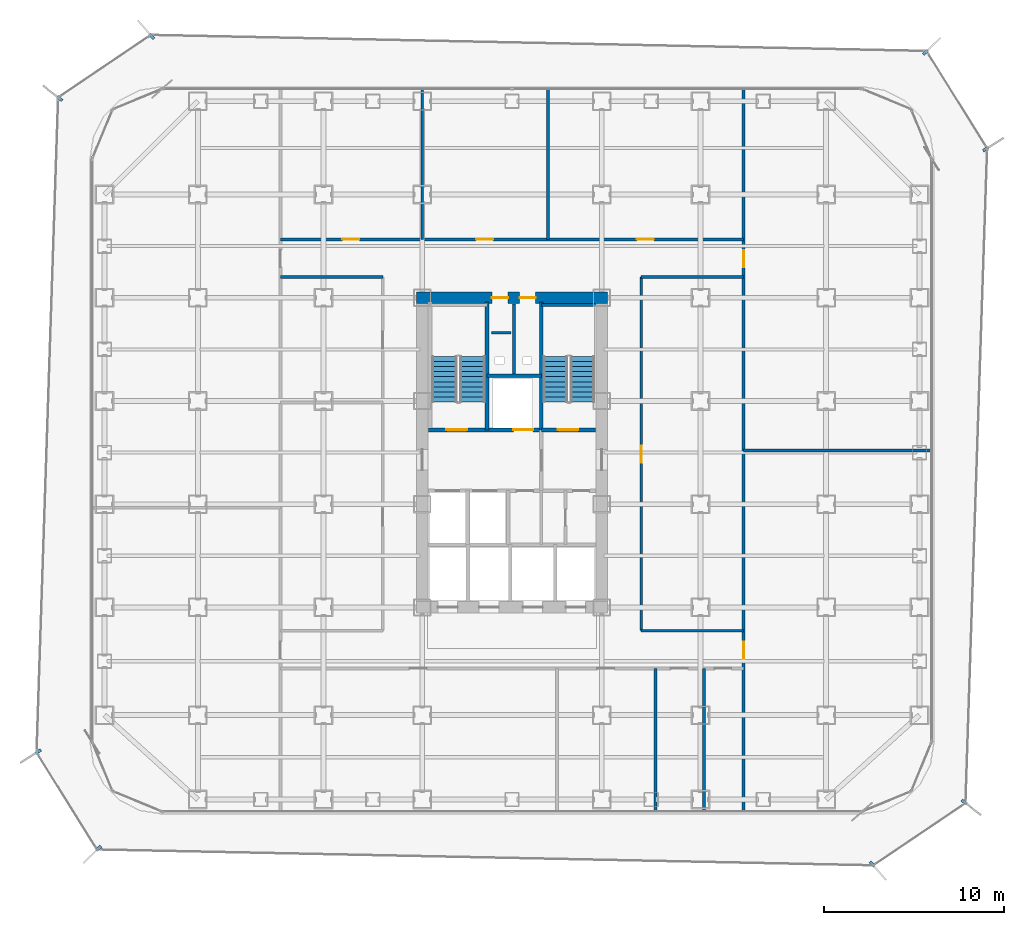
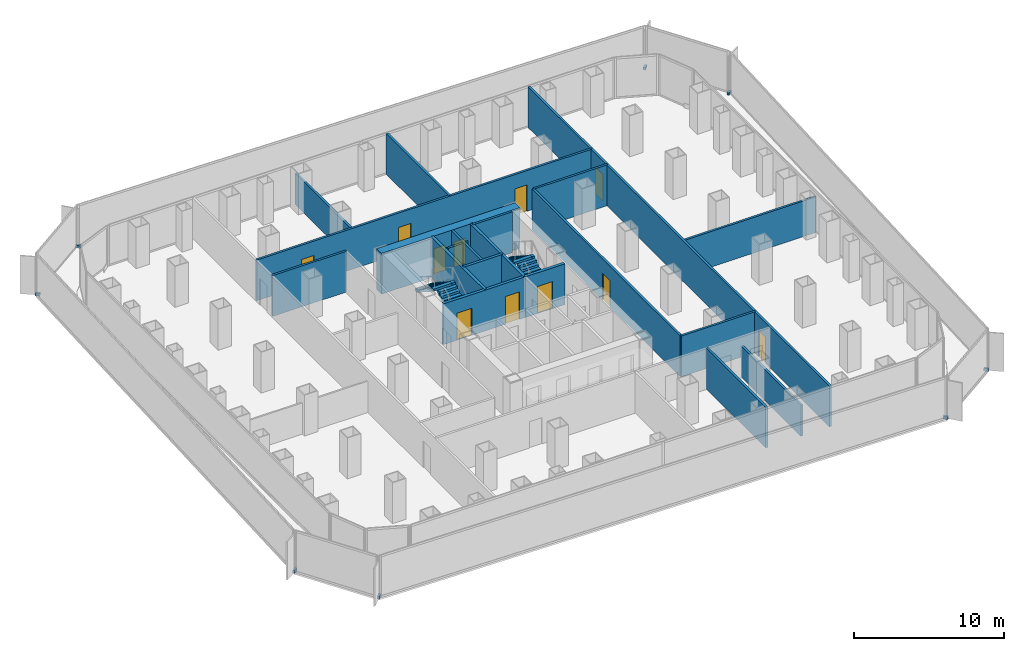
# One storey, part 18 of 21: 20 walls, 11 doors, 8 discrete accessories, 4 stair flights, 11 openings, 2 elements without a shape of their own.
"""IFC4 building model written with IfcOpenShell, lengths in metres."""

from ifc_helpers import new_model, si_unit, direction, frame, frame_2d, origin, origin_2d, place, context, subcontext, project, spatial, polyline, rectangle, outline, extrude, source, transform, mapped, material, layer, layer_set, type_object, element, fill, aggregate, save


model = new_model("IFC4")

# Units and contexts
model_context = context("Model", 3, precision=1e-05, world=origin(), true_north=direction((0.0, 1.0)))
body_context = subcontext(model_context, "Body", "Model", "MODEL_VIEW")
ifc_project = project(units=[si_unit("LENGTHUNIT", "METRE"), si_unit("AREAUNIT", "SQUARE_METRE"), si_unit("VOLUMEUNIT", "CUBIC_METRE"), si_unit("PLANEANGLEUNIT", "RADIAN"), si_unit("MASSUNIT", "GRAM", prefix="KILO")], contexts=[model_context])

# Site, building, storey
site_placement = place(None, origin())
site = spatial("IfcSite", under=ifc_project, at=site_placement, CompositionType="ELEMENT")
building_placement = place(site_placement, origin())
building = spatial("IfcBuilding", under=site, at=building_placement, Name="Kolveth Station Tower", CompositionType="ELEMENT")
storey_placement = place(building_placement, frame((0.0, 0.0, 47.699951171875)))
storey = spatial("IfcBuildingStorey", under=building, at=storey_placement, Name="L12", CompositionType="ELEMENT", Elevation=47.699951171875)

# Wall, openings, doors
ifc_material_1 = material(Name="Concrete C60/75", Category="concrete")
ifc_layer_1 = layer(ifc_material_1, 0.64990234375)
ifc_layer_set_1 = layer_set([ifc_layer_1], Name="Concrete C60/75")
wall_type_1 = type_object("IfcWallType", Name="Wall_CW-650", PredefinedType="SHEAR", material=ifc_layer_set_1)
wall_1_placement = place(storey_placement, frame((18.175048828125, 28.75, 0.0), z_axis=(0.0, 0.0, 1.0), x_axis=(1.0, 0.0, 0.0)))
wall_1 = element("IfcWall", 1, at=wall_1_placement, inside=storey, type_object=wall_type_1, Name="L12 Core RC Shear Wall N", PredefinedType="SHEAR", context=body_context, shape_type="SweptSolid", body=[
    extrude(rectangle(XDim=10.64990234375, YDim=0.64990234375, at=frame_2d((5.324951171875, 0.0))), origin(), (0.0, 0.0, 1.0), 3.320068359375),
])
opening_1_placement = place(wall_1_placement, frame((4.205078125, 0.0, 0.0)))
opening_1 = element("IfcOpeningElement", 2, at=opening_1_placement, cuts=wall_1, Name="Opening RD1", PredefinedType="OPENING", context=body_context, shape_type="SweptSolid", body=[
    extrude(rectangle(XDim=0.89990234375, YDim=2.050048828125, at=frame_2d((0.449951171875, 1.02490234375))), frame((0.0, 0.3349609375, 0.0), z_axis=(0.0, -1.0, 0.0), x_axis=(1.0, 0.0, 0.0)), (0.0, 0.0, 1.0), 0.669921875),
])
opening_2_placement = place(wall_1_placement, frame((5.7451171875, 0.0, 0.0)))
opening_2 = element("IfcOpeningElement", 3, at=opening_2_placement, cuts=wall_1, Name="Opening RD1", PredefinedType="OPENING", context=body_context, shape_type="SweptSolid", body=[
    extrude(rectangle(XDim=0.89990234375, YDim=2.050048828125, at=frame_2d((0.449951171875, 1.02490234375))), frame((0.0, 0.3349609375, 0.0), z_axis=(0.0, -1.0, 0.0), x_axis=(1.0, 0.0, 0.0)), (0.0, 0.0, 1.0), 0.669921875),
])
ifc_material_2 = material(Name="Fire-rated Steel S355 riser access leaf", Category="steel")
door_type_1 = type_object("IfcDoorType", Name="Door_RD1", OperationType="NOTDEFINED", PredefinedType="DOOR", material=ifc_material_2)
door_1_placement = place(opening_1_placement, origin())
door_1 = element("IfcDoor", 4, at=door_1_placement, inside=storey, type_object=door_type_1, Name="L12 Electrical Riser Access Door", OperationType="SINGLE_SWING_LEFT", OverallHeight=2.050048828125, OverallWidth=0.89990234375, PredefinedType="DOOR", context=body_context, shape_type="SweptSolid", body=[
    extrude(rectangle(XDim=0.89990234375, YDim=2.050048828125, at=frame_2d((0.449951171875, 1.02490234375))), frame((0.0, 0.02490234375, 0.0), z_axis=(0.0, -1.0, 0.0), x_axis=(1.0, 0.0, 0.0)), (0.0, 0.0, 1.0), 0.050048828125),
])
fill(opening_1, door_1)
door_2_placement = place(opening_2_placement, origin())
door_2 = element("IfcDoor", 5, at=door_2_placement, inside=storey, type_object=door_type_1, Name="L12 Smoke Duct Access Door", OperationType="SINGLE_SWING_RIGHT", OverallHeight=2.050048828125, OverallWidth=0.89990234375, PredefinedType="DOOR", context=body_context, shape_type="SweptSolid", body=[
    extrude(rectangle(XDim=0.89990234375, YDim=2.050048828125, at=frame_2d((0.449951171875, 1.02490234375))), frame((0.0, 0.02490234375, 0.0), z_axis=(0.0, -1.0, 0.0), x_axis=(1.0, 0.0, 0.0)), (0.0, 0.0, 1.0), 0.050048828125),
])
fill(opening_2, door_2)

# Walls
ifc_material_3 = material(Name="Acoustic double-stud gypsum partition")
ifc_layer_2 = layer(ifc_material_3, 0.1650390625)
ifc_layer_set_2 = layer_set([ifc_layer_2], Name="Acoustic double-stud gypsum partition")
wall_type_2 = type_object("IfcWallType", Name="Wall_IW-165", PredefinedType="PARTITIONING", material=ifc_layer_set_2)
wall_2_placement = place(storey_placement, frame((25.1298828125, 28.3349609375, 0.0), z_axis=(0.0, 0.0, 1.0), x_axis=(1.0, 0.0, 0.0)))
element("IfcWall", 6, at=wall_2_placement, inside=storey, type_object=wall_type_2, Name="L12 Stair Shaft Wall WL-L12-ST2-N", PredefinedType="PARTITIONING", context=body_context, shape_type="SweptSolid", body=[
    extrude(rectangle(XDim=3.03515625, YDim=0.1650390625, at=frame_2d((1.517578125, 0.0))), origin(), (0.0, 0.0, 1.0), 3.320068359375),
])
wall_3_placement = place(storey_placement, frame((23.6201171875, 24.39990234375, 0.0), z_axis=(0.0, 0.0, 1.0), x_axis=(0.0, 1.0, 0.0)))
element("IfcWall", 7, at=wall_3_placement, inside=storey, type_object=wall_type_2, Name="L12 Partition Wall WL-L12-RSR-M", PredefinedType="PARTITIONING", context=body_context, shape_type="SweptSolid", body=[
    extrude(rectangle(XDim=4.01513671875, YDim=0.1650390625, at=frame_2d((2.007568359375, 0.0))), origin(), (0.0, 0.0, 1.0), 3.320068359375),
])

# Wall, openings, doors
wall_4_placement = place(storey_placement, frame((10.60009765625, 32.0, 0.0), z_axis=(0.0, 0.0, 1.0), x_axis=(1.0, 0.0, 0.0)))
wall_4 = element("IfcWall", 8, at=wall_4_placement, inside=storey, type_object=wall_type_2, Name="L12 Partition Wall WL-L12-ON", PredefinedType="PARTITIONING", context=body_context, shape_type="SweptSolid", body=[
    extrude(rectangle(XDim=25.7998046875, YDim=0.1650390625, at=frame_2d((12.89990234375, 0.0))), origin(), (0.0, 0.0, 1.0), 3.320068359375),
])
opening_3_placement = place(wall_4_placement, frame((3.449951171875, 0.0, 0.0)))
opening_3 = element("IfcOpeningElement", 9, at=opening_3_placement, cuts=wall_4, Name="Opening ID1", PredefinedType="OPENING", context=body_context, shape_type="SweptSolid", body=[
    extrude(rectangle(XDim=0.949951171875, YDim=2.14990234375, at=frame_2d((0.47509765625, 1.074951171875))), frame((0.0, 0.092529296875, 0.0), z_axis=(0.0, -1.0, 0.0), x_axis=(1.0, 0.0, 0.0)), (0.0, 0.0, 1.0), 0.18505859375),
])
opening_4_placement = place(wall_4_placement, frame((10.89990234375, 0.0, 0.0)))
opening_4 = element("IfcOpeningElement", 10, at=opening_4_placement, cuts=wall_4, Name="Opening ID1", PredefinedType="OPENING", context=body_context, shape_type="SweptSolid", body=[
    extrude(rectangle(XDim=0.949951171875, YDim=2.14990234375, at=frame_2d((0.47509765625, 1.074951171875))), frame((0.0, 0.092529296875, 0.0), z_axis=(0.0, -1.0, 0.0), x_axis=(1.0, 0.0, 0.0)), (0.0, 0.0, 1.0), 0.18505859375),
])
opening_5_placement = place(wall_4_placement, frame((19.85009765625, 0.0, 0.0)))
opening_5 = element("IfcOpeningElement", 11, at=opening_5_placement, cuts=wall_4, Name="Opening ID1", PredefinedType="OPENING", context=body_context, shape_type="SweptSolid", body=[
    extrude(rectangle(XDim=0.949951171875, YDim=2.14990234375, at=frame_2d((0.47509765625, 1.074951171875))), frame((0.0, 0.092529296875, 0.0), z_axis=(0.0, -1.0, 0.0), x_axis=(1.0, 0.0, 0.0)), (0.0, 0.0, 1.0), 0.18505859375),
])
ifc_material_4 = material(Name="Acoustic hardwood leaf and aluminium frame", Category="wood")
door_type_2 = type_object("IfcDoorType", Name="Door_ID1", OperationType="NOTDEFINED", PredefinedType="DOOR", material=ifc_material_4)
door_3_placement = place(opening_3_placement, origin())
door_3 = element("IfcDoor", 12, at=door_3_placement, inside=storey, type_object=door_type_2, Name="L12 Quiet Study 2 Door", OperationType="SINGLE_SWING_LEFT", OverallHeight=2.14990234375, OverallWidth=0.949951171875, PredefinedType="DOOR", context=body_context, shape_type="SweptSolid", body=[
    extrude(rectangle(XDim=0.949951171875, YDim=2.14990234375, at=frame_2d((0.47509765625, 1.074951171875))), frame((0.0, 0.02490234375, 0.0), z_axis=(0.0, -1.0, 0.0), x_axis=(1.0, 0.0, 0.0)), (0.0, 0.0, 1.0), 0.050048828125),
])
fill(opening_3, door_3)
door_4_placement = place(opening_4_placement, origin())
door_4 = element("IfcDoor", 13, at=door_4_placement, inside=storey, type_object=door_type_2, Name="L12 Focus Booth 3 Door", OperationType="SINGLE_SWING_RIGHT", OverallHeight=2.14990234375, OverallWidth=0.949951171875, PredefinedType="DOOR", context=body_context, shape_type="SweptSolid", body=[
    extrude(rectangle(XDim=0.949951171875, YDim=2.14990234375, at=frame_2d((0.47509765625, 1.074951171875))), frame((0.0, 0.02490234375, 0.0), z_axis=(0.0, -1.0, 0.0), x_axis=(1.0, 0.0, 0.0)), (0.0, 0.0, 1.0), 0.050048828125),
])
fill(opening_4, door_4)
door_5_placement = place(opening_5_placement, origin())
door_5 = element("IfcDoor", 14, at=door_5_placement, inside=storey, type_object=door_type_2, Name="L12 Open Plan Office East-North Door", OperationType="SINGLE_SWING_LEFT", OverallHeight=2.14990234375, OverallWidth=0.949951171875, PredefinedType="DOOR", context=body_context, shape_type="SweptSolid", body=[
    extrude(rectangle(XDim=0.949951171875, YDim=2.14990234375, at=frame_2d((0.47509765625, 1.074951171875))), frame((0.0, 0.02490234375, 0.0), z_axis=(0.0, -1.0, 0.0), x_axis=(1.0, 0.0, 0.0)), (0.0, 0.0, 1.0), 0.050048828125),
])
fill(opening_5, door_5)

# Walls
for number, where, z_axis, x_axis, name in (
    (15, (30.699951171875, 10.199951171875, 0.0), (0.0, 0.0, 1.0), (1.0, 0.0, 0.0), "L12 Partition Wall WL-L12-OSET"),
    (16, (10.60009765625, 29.89990234375, 0.0), (0.0, 0.0, 1.0), (1.0, 0.0, 0.0), "L12 Partition Wall WL-L12-ONWB"),
    (17, (30.699951171875, 29.89990234375, 0.0), (0.0, 0.0, 1.0), (1.0, 0.0, 0.0), "L12 Partition Wall WL-L12-ONEB"),
):
    element("IfcWall", number, at=place(storey_placement, frame(where, z_axis=z_axis, x_axis=x_axis)), inside=storey, type_object=wall_type_2, Name=name, PredefinedType="PARTITIONING", context=body_context, shape_type="SweptSolid", body=[
        extrude(rectangle(XDim=5.699951171875, YDim=0.1650390625, at=frame_2d((2.85009765625, 0.0))), origin(), (0.0, 0.0, 1.0), 3.320068359375),
    ])

# Wall, opening, door
wall_5_placement = place(storey_placement, frame((30.699951171875, 10.199951171875, 0.0), z_axis=(0.0, 0.0, 1.0), x_axis=(0.0, 1.0, 0.0)))
wall_5 = element("IfcWall", 18, at=wall_5_placement, inside=storey, type_object=wall_type_2, Name="L12 Partition Wall WL-L12-OCE", PredefinedType="PARTITIONING", context=body_context, shape_type="SweptSolid", body=[
    extrude(rectangle(XDim=19.699951171875, YDim=0.1650390625, at=frame_2d((9.85009765625, 0.0))), origin(), (0.0, 0.0, 1.0), 3.320068359375),
])
opening_6_placement = place(wall_5_placement, frame((9.35009765625, 0.0, 0.0)))
opening_6 = element("IfcOpeningElement", 19, at=opening_6_placement, cuts=wall_5, Name="Opening ID1", PredefinedType="OPENING", context=body_context, shape_type="SweptSolid", body=[
    extrude(rectangle(XDim=0.949951171875, YDim=2.14990234375, at=frame_2d((0.47509765625, 1.074951171875))), frame((0.0, 0.092529296875, 0.0), z_axis=(0.0, -1.0, 0.0), x_axis=(1.0, 0.0, 0.0)), (0.0, 0.0, 1.0), 0.18505859375),
])
door_6_placement = place(opening_6_placement, origin())
door_6 = element("IfcDoor", 20, at=door_6_placement, inside=storey, type_object=door_type_2, Name="L12 Internal Meeting Room E1 Door", OperationType="SINGLE_SWING_RIGHT", OverallHeight=2.14990234375, OverallWidth=0.949951171875, PredefinedType="DOOR", context=body_context, shape_type="SweptSolid", body=[
    extrude(rectangle(XDim=0.949951171875, YDim=2.14990234375, at=frame_2d((0.47509765625, 1.074951171875))), frame((0.0, 0.02490234375, 0.0), z_axis=(0.0, -1.0, 0.0), x_axis=(1.0, 0.0, 0.0)), (0.0, 0.0, 1.0), 0.050048828125),
])
fill(opening_6, door_6)

# Wall, openings, doors
wall_6_placement = place(storey_placement, frame((36.39990234375, 0.159912109375, 0.0), z_axis=(0.0, 0.0, 1.0), x_axis=(0.0, 1.0, 0.0)))
wall_6 = element("IfcWall", 21, at=wall_6_placement, inside=storey, type_object=wall_type_2, Name="L12 Partition Wall WL-L12-OEEND", PredefinedType="PARTITIONING", context=body_context, shape_type="SweptSolid", body=[
    extrude(rectangle(XDim=40.18017578125, YDim=0.1650390625, at=frame_2d((20.090087890625, 0.0))), origin(), (0.0, 0.0, 1.0), 3.320068359375),
])
opening_7_placement = place(wall_6_placement, frame((8.489990234375, 0.0, 0.0)))
opening_7 = element("IfcOpeningElement", 22, at=opening_7_placement, cuts=wall_6, Name="Opening ID1", PredefinedType="OPENING", context=body_context, shape_type="SweptSolid", body=[
    extrude(rectangle(XDim=0.949951171875, YDim=2.14990234375, at=frame_2d((0.47509765625, 1.074951171875))), frame((0.0, 0.092529296875, 0.0), z_axis=(0.0, -1.0, 0.0), x_axis=(1.0, 0.0, 0.0)), (0.0, 0.0, 1.0), 0.18505859375),
])
opening_8_placement = place(wall_6_placement, frame((30.2900390625, 0.0, 0.0)))
opening_8 = element("IfcOpeningElement", 23, at=opening_8_placement, cuts=wall_6, Name="Opening ID1", PredefinedType="OPENING", context=body_context, shape_type="SweptSolid", body=[
    extrude(rectangle(XDim=0.949951171875, YDim=2.14990234375, at=frame_2d((0.47509765625, 1.074951171875))), frame((0.0, 0.092529296875, 0.0), z_axis=(0.0, -1.0, 0.0), x_axis=(1.0, 0.0, 0.0)), (0.0, 0.0, 1.0), 0.18505859375),
])
door_7_placement = place(opening_7_placement, origin())
door_7 = element("IfcDoor", 24, at=door_7_placement, inside=storey, type_object=door_type_2, Name="L12 East-South Wing Door", OperationType="SINGLE_SWING_RIGHT", OverallHeight=2.14990234375, OverallWidth=0.949951171875, PredefinedType="DOOR", context=body_context, shape_type="SweptSolid", body=[
    extrude(rectangle(XDim=0.949951171875, YDim=2.14990234375, at=frame_2d((0.47509765625, 1.074951171875))), frame((0.0, 0.02490234375, 0.0), z_axis=(0.0, -1.0, 0.0), x_axis=(1.0, 0.0, 0.0)), (0.0, 0.0, 1.0), 0.050048828125),
])
fill(opening_7, door_7)
door_8_placement = place(opening_8_placement, origin())
door_8 = element("IfcDoor", 25, at=door_8_placement, inside=storey, type_object=door_type_2, Name="L12 East-North Wing Door", OperationType="SINGLE_SWING_LEFT", OverallHeight=2.14990234375, OverallWidth=0.949951171875, PredefinedType="DOOR", context=body_context, shape_type="SweptSolid", body=[
    extrude(rectangle(XDim=0.949951171875, YDim=2.14990234375, at=frame_2d((0.47509765625, 1.074951171875))), frame((0.0, 0.02490234375, 0.0), z_axis=(0.0, -1.0, 0.0), x_axis=(1.0, 0.0, 0.0)), (0.0, 0.0, 1.0), 0.050048828125),
])
fill(opening_8, door_8)

# Walls
wall_7_placement = place(storey_placement, frame((31.5, 0.159912109375, 0.0), z_axis=(0.0, 0.0, 1.0), x_axis=(0.0, 1.0, 0.0)))
element("IfcWall", 26, at=wall_7_placement, inside=storey, type_object=wall_type_2, Name="L12 Partition Wall WL-L12-OS-P2", PredefinedType="PARTITIONING", context=body_context, shape_type="SweptSolid", body=[
    extrude(rectangle(XDim=7.940185546875, YDim=0.1650390625, at=frame_2d((3.97021484375, 0.0))), origin(), (0.0, 0.0, 1.0), 3.320068359375),
])
wall_8_placement = place(storey_placement, frame((34.199951171875, 0.159912109375, 0.0), z_axis=(0.0, 0.0, 1.0), x_axis=(0.0, 1.0, 0.0)))
element("IfcWall", 27, at=wall_8_placement, inside=storey, type_object=wall_type_2, Name="L12 Partition Wall WL-L12-OS-P3", PredefinedType="PARTITIONING", context=body_context, shape_type="SweptSolid", body=[
    extrude(rectangle(XDim=7.940185546875, YDim=0.1650390625, at=frame_2d((3.97021484375, 0.0))), origin(), (0.0, 0.0, 1.0), 2.5390625),
])
wall_9_placement = place(storey_placement, frame((18.5, 32.0, 0.0), z_axis=(0.0, 0.0, 1.0), x_axis=(0.0, 1.0, 0.0)))
element("IfcWall", 28, at=wall_9_placement, inside=storey, type_object=wall_type_2, Name="L12 Partition Wall WL-L12-ON-P1", PredefinedType="PARTITIONING", context=body_context, shape_type="SweptSolid", body=[
    extrude(rectangle(XDim=8.340087890625, YDim=0.1650390625, at=frame_2d((4.169921875, 0.0))), origin(), (0.0, 0.0, 1.0), 2.5390625),
])
wall_10_placement = place(storey_placement, frame((25.5, 32.0, 0.0), z_axis=(0.0, 0.0, 1.0), x_axis=(0.0, 1.0, 0.0)))
element("IfcWall", 29, at=wall_10_placement, inside=storey, type_object=wall_type_2, Name="L12 Partition Wall WL-L12-ON-P2", PredefinedType="PARTITIONING", context=body_context, shape_type="SweptSolid", body=[
    extrude(rectangle(XDim=8.340087890625, YDim=0.1650390625, at=frame_2d((4.169921875, 0.0))), origin(), (0.0, 0.0, 1.0), 3.320068359375),
])
wall_11_placement = place(storey_placement, frame((36.39990234375, 20.25, 0.0), z_axis=(0.0, 0.0, 1.0), x_axis=(1.0, 0.0, 0.0)))
element("IfcWall", 30, at=wall_11_placement, inside=storey, type_object=wall_type_2, Name="L12 Partition Wall WL-L12-OEM", PredefinedType="PARTITIONING", context=body_context, shape_type="SweptSolid", body=[
    extrude(rectangle(XDim=10.440185546875, YDim=0.1650390625, at=frame_2d((5.22021484375, 0.0))), origin(), (0.0, 0.0, 1.0), 2.89794921875),
])
wall_12_placement = place(storey_placement, frame((22.35009765625, 26.800048828125, 0.0), z_axis=(0.0, 0.0, 1.0), x_axis=(1.0, 0.0, 0.0)))
element("IfcWall", 31, at=wall_12_placement, inside=storey, type_object=wall_type_2, Name="L12 Acoustic Riser Dry-Lining Wall", PredefinedType="PARTITIONING", context=body_context, shape_type="SweptSolid", body=[
    extrude(rectangle(XDim=1.099853515625, YDim=0.1650390625, at=frame_2d((0.5498046875, 0.0))), origin(), (0.0, 0.0, 1.0), 3.320068359375),
])
ifc_material_5 = material(Name="Acoustic fire-rated gypsum blockwork", Category="masonry")
ifc_layer_3 = layer(ifc_material_5, 0.199951171875)
ifc_layer_set_3 = layer_set([ifc_layer_3], Name="Acoustic fire-rated gypsum blockwork")
wall_type_3 = type_object("IfcWallType", Name="Wall_IW-200", PredefinedType="PARTITIONING", material=ifc_layer_set_3)
wall_13_placement = place(storey_placement, frame((22.110107421875, 24.39990234375, 0.0), z_axis=(0.0, 0.0, 1.0), x_axis=(1.0, 0.0, 0.0)))
element("IfcWall", 32, at=wall_13_placement, inside=storey, type_object=wall_type_3, Name="L12 Partition Wall WL-L12-RSR-S", PredefinedType="PARTITIONING", context=body_context, shape_type="SweptSolid", body=[
    extrude(rectangle(XDim=3.019775390625, YDim=0.199951171875, at=frame_2d((1.509765625, 0.0))), origin(), (0.0, 0.0, 1.0), 3.320068359375),
])
ifc_material_6 = material(Name="Concrete C40/50", Category="concrete")
ifc_layer_4 = layer(ifc_material_6, 0.219970703125)
ifc_layer_set_4 = layer_set([ifc_layer_4], Name="Concrete C40/50")
wall_type_4 = type_object("IfcWallType", Name="Wall_IW-220", PredefinedType="SOLIDWALL", material=ifc_layer_set_4)
for number, where, z_axis, x_axis, name in (
    (33, (22.110107421875, 21.389892578125, 0.0), (0.0, 0.0, 1.0), (0.0, 1.0, 0.0), "L12 Stair Shaft Wall WL-L12-ST1-E"),
    (34, (25.1298828125, 21.389892578125, 0.0), (0.0, 0.0, 1.0), (0.0, 1.0, 0.0), "L12 Stair Shaft Wall WL-L12-ST2-W"),
):
    element("IfcWall", number, at=place(storey_placement, frame(where, z_axis=z_axis, x_axis=x_axis)), inside=storey, type_object=wall_type_4, Name=name, PredefinedType="SOLIDWALL", context=body_context, shape_type="SweptSolid", body=[
        extrude(rectangle(XDim=7.110107421875, YDim=0.219970703125, at=frame_2d((3.55517578125, 0.0))), origin(), (0.0, 0.0, 1.0), 3.320068359375),
    ])

# Wall, openings, doors
wall_14_placement = place(storey_placement, frame((18.8349609375, 21.389892578125, 0.0), z_axis=(0.0, 0.0, 1.0), x_axis=(1.0, 0.0, 0.0)))
wall_14 = element("IfcWall", 35, at=wall_14_placement, inside=storey, type_object=wall_type_4, Name="L12 Stair Shaft Wall WL-L12-ST1-S", PredefinedType="SOLIDWALL", context=body_context, shape_type="SweptSolid", body=[
    extrude(rectangle(XDim=6.294921875, YDim=0.219970703125, at=frame_2d((3.1474609375, 0.0))), origin(), (0.0, 0.0, 1.0), 3.320068359375),
])
opening_9_placement = place(wall_14_placement, frame((1.014892578125, 0.0, 0.0)))
opening_9 = element("IfcOpeningElement", 36, at=opening_9_placement, cuts=wall_14, Name="Opening FD1", PredefinedType="OPENING", context=body_context, shape_type="SweptSolid", body=[
    extrude(rectangle(XDim=1.14990234375, YDim=2.199951171875, at=frame_2d((0.574951171875, 1.10009765625))), frame((0.0, 0.119873046875, 0.0), z_axis=(0.0, -1.0, 0.0), x_axis=(1.0, 0.0, 0.0)), (0.0, 0.0, 1.0), 0.239990234375),
])
opening_10_placement = place(wall_14_placement, frame((4.7451171875, 0.0, 0.0)))
opening_10 = element("IfcOpeningElement", 37, at=opening_10_placement, cuts=wall_14, Name="Opening LD1", PredefinedType="OPENING", context=body_context, shape_type="SweptSolid", body=[
    extrude(rectangle(XDim=1.10009765625, YDim=2.25, at=frame_2d((0.550048828125, 1.125))), frame((0.0, 0.119873046875, 0.0), z_axis=(0.0, -1.0, 0.0), x_axis=(1.0, 0.0, 0.0)), (0.0, 0.0, 1.0), 0.239990234375),
])
ifc_material_7 = material(Name="Fire-rated Steel S355 leaf and frame", Category="steel")
door_type_3 = type_object("IfcDoorType", Name="Door_FD1", OperationType="NOTDEFINED", PredefinedType="DOOR", material=ifc_material_7)
door_9_placement = place(opening_9_placement, frame((1.14990234375, 0.0, 0.0), z_axis=(0.0, 0.0, 1.0), x_axis=(-1.0, 0.0, 0.0)))
door_9 = element("IfcDoor", 38, at=door_9_placement, inside=storey, type_object=door_type_3, Name="L12 Stair ST1 Fire Door", OperationType="SINGLE_SWING_LEFT", OverallHeight=2.199951171875, OverallWidth=1.14990234375, PredefinedType="DOOR", context=body_context, shape_type="SweptSolid", body=[
    extrude(rectangle(XDim=1.14990234375, YDim=2.199951171875, at=frame_2d((0.574951171875, 1.10009765625))), frame((0.0, 0.02490234375, 0.0), z_axis=(0.0, -1.0, 0.0), x_axis=(1.0, 0.0, 0.0)), (0.0, 0.0, 1.0), 0.050048828125),
])
fill(opening_9, door_9)
ifc_material_8 = material(Name="Brushed stainless steel sliding landing doors", Category="steel")
door_type_4 = type_object("IfcDoorType", Name="Door_LD1", OperationType="NOTDEFINED", PredefinedType="DOOR", material=ifc_material_8)
door_10_placement = place(opening_10_placement, frame((1.10009765625, 0.0, 0.0), z_axis=(0.0, 0.0, 1.0), x_axis=(-1.0, 0.0, 0.0)))
door_10 = element("IfcDoor", 39, at=door_10_placement, inside=storey, type_object=door_type_4, Name="L12 Service Lift SV1 Landing Door", OperationType="DOUBLE_DOOR_SLIDING", OverallHeight=2.25, OverallWidth=1.10009765625, PredefinedType="DOOR", context=body_context, shape_type="SweptSolid", body=[
    extrude(rectangle(XDim=1.10009765625, YDim=2.25, at=frame_2d((0.550048828125, 1.125))), frame((0.0, 0.02490234375, 0.0), z_axis=(0.0, -1.0, 0.0), x_axis=(1.0, 0.0, 0.0)), (0.0, 0.0, 1.0), 0.050048828125),
])
fill(opening_10, door_10)

# Wall, opening, door
wall_15_placement = place(storey_placement, frame((25.1298828125, 21.389892578125, 0.0), z_axis=(0.0, 0.0, 1.0), x_axis=(1.0, 0.0, 0.0)))
wall_15 = element("IfcWall", 40, at=wall_15_placement, inside=storey, type_object=wall_type_4, Name="L12 Stair Shaft Wall WL-L12-ST2-S", PredefinedType="SOLIDWALL", context=body_context, shape_type="SweptSolid", body=[
    extrude(rectangle(XDim=3.03515625, YDim=0.219970703125, at=frame_2d((1.517578125, 0.0))), origin(), (0.0, 0.0, 1.0), 3.320068359375),
])
opening_11_placement = place(wall_15_placement, frame((0.919921875, 0.0, 0.0)))
opening_11 = element("IfcOpeningElement", 41, at=opening_11_placement, cuts=wall_15, Name="Opening FD1", PredefinedType="OPENING", context=body_context, shape_type="SweptSolid", body=[
    extrude(rectangle(XDim=1.14990234375, YDim=2.199951171875, at=frame_2d((0.574951171875, 1.10009765625))), frame((0.0, 0.119873046875, 0.0), z_axis=(0.0, -1.0, 0.0), x_axis=(1.0, 0.0, 0.0)), (0.0, 0.0, 1.0), 0.239990234375),
])
door_11_placement = place(opening_11_placement, frame((1.14990234375, 0.0, 0.0), z_axis=(0.0, 0.0, 1.0), x_axis=(-1.0, 0.0, 0.0)))
door_11 = element("IfcDoor", 42, at=door_11_placement, inside=storey, type_object=door_type_3, Name="L12 Stair ST2 Fire Door", OperationType="SINGLE_SWING_RIGHT", OverallHeight=2.199951171875, OverallWidth=1.14990234375, PredefinedType="DOOR", context=body_context, shape_type="SweptSolid", body=[
    extrude(rectangle(XDim=1.14990234375, YDim=2.199951171875, at=frame_2d((0.574951171875, 1.10009765625))), frame((0.0, 0.02490234375, 0.0), z_axis=(0.0, -1.0, 0.0), x_axis=(1.0, 0.0, 0.0)), (0.0, 0.0, 1.0), 0.050048828125),
])
fill(opening_11, door_11)

# Stair, stair flights
stair_type_1 = type_object("IfcStairType", Name="Stair_ST1", PredefinedType="HALF_TURN_STAIR", material=ifc_material_6)
stair_1_placement = place(storey_placement, origin())
stair_1 = element("IfcStair", 43, at=stair_1_placement, inside=storey, type_object=stair_type_1, Name="L12 Tower Exit Stair ST1", PredefinedType="HALF_TURN_STAIR")
ifc_layer_5 = layer(ifc_material_6, 0.179931640625)
ifc_layer_set_5 = layer_set([ifc_layer_5], Name="Concrete C40/50")
stair_flight_type_1 = type_object("IfcStairFlightType", Name="Flight_ST1", PredefinedType="STRAIGHT", material=ifc_layer_set_5)
stair_flight_1_placement = place(storey_placement, frame((21.300048828125, 22.949951171875, 0.0), z_axis=(0.0, 0.0, 1.0), x_axis=(0.0, 1.0, 0.0)))
stair_flight_1 = element("IfcStairFlight", 44, at=stair_flight_1_placement, type_object=stair_flight_type_1, Name="ST1 flight 1", NumberOfRisers=10, NumberOfTreads=9, PredefinedType="STRAIGHT", RiserHeight=0.18, TreadLength=0.28, context=body_context, shape_type="SweptSolid", body=[
    extrude(outline(polyline([(0.0, 0.0), (0.0, 0.179931640625), (0.280029296875, 0.179931640625), (0.280029296875, 0.360107421875), (0.56005859375, 0.360107421875), (0.56005859375, 0.5400390625), (0.840087890625, 0.5400390625), (0.840087890625, 0.719970703125), (1.1201171875, 0.719970703125), (1.1201171875, 0.89990234375), (1.39990234375, 0.89990234375), (1.39990234375, 1.080078125), (1.679931640625, 1.080078125), (1.679931640625, 1.260009765625), (1.9599609375, 1.260009765625), (1.9599609375, 1.43994140625), (2.239990234375, 1.43994140625), (2.239990234375, 1.6201171875), (2.52001953125, 1.6201171875), (2.52001953125, 1.800048828125), (2.52001953125, 1.44189453125), (0.277099609375, 0.0), (0.0, 0.0)])), frame((0.0, 0.699951171875, 0.0), z_axis=(0.0, -1.0, 0.0), x_axis=(1.0, 0.0, 0.0)), (0.0, 0.0, 1.0), 1.39990234375),
])
stair_flight_2_placement = place(storey_placement, frame((19.739990234375, 25.469970703125, 1.800048828125), z_axis=(0.0, 0.0, 1.0), x_axis=(0.0, -1.0, 0.0)))
stair_flight_2 = element("IfcStairFlight", 45, at=stair_flight_2_placement, type_object=stair_flight_type_1, Name="ST1 flight 2", NumberOfRisers=10, NumberOfTreads=9, PredefinedType="STRAIGHT", RiserHeight=0.18, TreadLength=0.28, context=body_context, shape_type="SweptSolid", body=[
    extrude(outline(polyline([(0.0, 0.0), (0.0, 0.179931640625), (0.280029296875, 0.179931640625), (0.280029296875, 0.360107421875), (0.56005859375, 0.360107421875), (0.56005859375, 0.5400390625), (0.840087890625, 0.5400390625), (0.840087890625, 0.719970703125), (1.1201171875, 0.719970703125), (1.1201171875, 0.89990234375), (1.39990234375, 0.89990234375), (1.39990234375, 1.080078125), (1.679931640625, 1.080078125), (1.679931640625, 1.260009765625), (1.9599609375, 1.260009765625), (1.9599609375, 1.43994140625), (2.239990234375, 1.43994140625), (2.239990234375, 1.6201171875), (2.52001953125, 1.6201171875), (2.52001953125, 1.800048828125), (2.52001953125, 1.44189453125), (0.277099609375, 0.0), (0.0, 0.0)])), frame((0.0, 0.699951171875, 0.0), z_axis=(0.0, -1.0, 0.0), x_axis=(1.0, 0.0, 0.0)), (0.0, 0.0, 1.0), 1.39990234375),
])
aggregate(stair_1, [stair_flight_1, stair_flight_2])

stair_type_2 = type_object("IfcStairType", Name="Stair_ST2", PredefinedType="HALF_TURN_STAIR", material=ifc_material_6)
stair_2_placement = place(storey_placement, origin())
stair_2 = element("IfcStair", 46, at=stair_2_placement, inside=storey, type_object=stair_type_2, Name="L12 Tower Exit Stair ST2", PredefinedType="HALF_TURN_STAIR")
ifc_layer_6 = layer(ifc_material_6, 0.179931640625)
ifc_layer_set_6 = layer_set([ifc_layer_6], Name="Concrete C40/50")
stair_flight_type_2 = type_object("IfcStairFlightType", Name="Flight_ST2", PredefinedType="STRAIGHT", material=ifc_layer_set_6)
stair_flight_3_placement = place(storey_placement, frame((27.425048828125, 22.949951171875, 0.0), z_axis=(0.0, 0.0, 1.0), x_axis=(0.0, 1.0, 0.0)))
stair_flight_3 = element("IfcStairFlight", 47, at=stair_flight_3_placement, type_object=stair_flight_type_2, Name="ST2 flight 1", NumberOfRisers=10, NumberOfTreads=9, PredefinedType="STRAIGHT", RiserHeight=0.18, TreadLength=0.28, context=body_context, shape_type="SweptSolid", body=[
    extrude(outline(polyline([(0.0, 0.0), (0.0, 0.179931640625), (0.280029296875, 0.179931640625), (0.280029296875, 0.360107421875), (0.56005859375, 0.360107421875), (0.56005859375, 0.5400390625), (0.840087890625, 0.5400390625), (0.840087890625, 0.719970703125), (1.1201171875, 0.719970703125), (1.1201171875, 0.89990234375), (1.39990234375, 0.89990234375), (1.39990234375, 1.080078125), (1.679931640625, 1.080078125), (1.679931640625, 1.260009765625), (1.9599609375, 1.260009765625), (1.9599609375, 1.43994140625), (2.239990234375, 1.43994140625), (2.239990234375, 1.6201171875), (2.52001953125, 1.6201171875), (2.52001953125, 1.800048828125), (2.52001953125, 1.44189453125), (0.277099609375, 0.0), (0.0, 0.0)])), frame((0.0, 0.675048828125, 0.0), z_axis=(0.0, -1.0, 0.0), x_axis=(1.0, 0.0, 0.0)), (0.0, 0.0, 1.0), 1.35009765625),
])
stair_flight_4_placement = place(storey_placement, frame((25.9150390625, 25.469970703125, 1.800048828125), z_axis=(0.0, 0.0, 1.0), x_axis=(0.0, -1.0, 0.0)))
stair_flight_4 = element("IfcStairFlight", 48, at=stair_flight_4_placement, type_object=stair_flight_type_2, Name="ST2 flight 2", NumberOfRisers=10, NumberOfTreads=9, PredefinedType="STRAIGHT", RiserHeight=0.18, TreadLength=0.28, context=body_context, shape_type="SweptSolid", body=[
    extrude(outline(polyline([(0.0, 0.0), (0.0, 0.179931640625), (0.280029296875, 0.179931640625), (0.280029296875, 0.360107421875), (0.56005859375, 0.360107421875), (0.56005859375, 0.5400390625), (0.840087890625, 0.5400390625), (0.840087890625, 0.719970703125), (1.1201171875, 0.719970703125), (1.1201171875, 0.89990234375), (1.39990234375, 0.89990234375), (1.39990234375, 1.080078125), (1.679931640625, 1.080078125), (1.679931640625, 1.260009765625), (1.9599609375, 1.260009765625), (1.9599609375, 1.43994140625), (2.239990234375, 1.43994140625), (2.239990234375, 1.6201171875), (2.52001953125, 1.6201171875), (2.52001953125, 1.800048828125), (2.52001953125, 1.44189453125), (0.277099609375, 0.0), (0.0, 0.0)])), frame((0.0, 0.675048828125, 0.0), z_axis=(0.0, -1.0, 0.0), x_axis=(1.0, 0.0, 0.0)), (0.0, 0.0, 1.0), 1.35009765625),
])
aggregate(stair_2, [stair_flight_3, stair_flight_4])

# Discrete accessories
ifc_material_9 = material(Name="Steel S355", Category="steel")
discrete_accessory_type = type_object("IfcDiscreteAccessoryType", Name="Bracket_BK1", PredefinedType="BRACKET", material=ifc_material_9)
shared_shape = source(origin(), body_context, "Body", "SweptSolid", [
    extrude(rectangle(XDim=0.35009765625, YDim=0.159912109375, at=origin_2d()), origin(), (0.0, 0.0, 1.0), 0.219970703125),
])
for number, where, z_axis, x_axis, name in (
    (49, (43.56396484375, -2.801025390625, -0.06005859375), (0.0, 0.0, 1.0), (0.656585755753, -0.754251380736, 0.0), "L12 Double-Skin Radial Tie Bracket 1"),
    (50, (48.69091796875, 0.658935546875, -0.06005859375), (0.0, 0.0, 1.0), (0.789405615633, -0.613871952452, 0.0), "L12 Double-Skin Radial Tie Bracket 2"),
    (51, (49.89306640625, 37.030029296875, -0.06005859375), (0.0, 0.0, 1.0), (0.843860006976, 0.536563405971, 0.0), "L12 Double-Skin Radial Tie Bracket 3"),
    (52, (46.530029296875, 42.419921875, -0.06005859375), (0.0, 0.0, 1.0), (0.720430079257, 0.693527577607, 0.0), "L12 Double-Skin Radial Tie Bracket 4"),
    (53, (3.43505859375, 43.306884765625, -0.06005859375), (0.0, 0.0, 1.0), (-0.656454104053, 0.75436596508, 0.0), "L12 Double-Skin Radial Tie Bracket 5"),
    (54, (-1.696044921875, 39.843994140625, -0.06005859375), (0.0, 0.0, 1.0), (-0.789405615633, 0.613871952452, 0.0), "L12 Double-Skin Radial Tie Bracket 6"),
    (55, (-2.89306640625, 3.469970703125, -0.06005859375), (0.0, 0.0, 1.0), (-0.843860006976, -0.536563405971, 0.0), "L12 Double-Skin Radial Tie Bracket 7"),
    (56, (0.467041015625, -1.925048828125, -0.06005859375), (0.0, 0.0, 1.0), (-0.720430079257, -0.693527577607, 0.0), "L12 Double-Skin Radial Tie Bracket 8"),
):
    element("IfcDiscreteAccessory", number, at=place(storey_placement, frame(where, z_axis=z_axis, x_axis=x_axis)), inside=storey, type_object=discrete_accessory_type, Name=name, PredefinedType="BRACKET", context=body_context, shape_type="MappedRepresentation", body=[
        mapped(shared_shape, transform((0.0, 0.0, 0.0), x_axis=(1.0, 0.0, 0.0), y_axis=(0.0, 1.0, 0.0), z_axis=(0.0, 0.0, 1.0), scale=1.0)),
    ])

save(model, "model.ifc")
